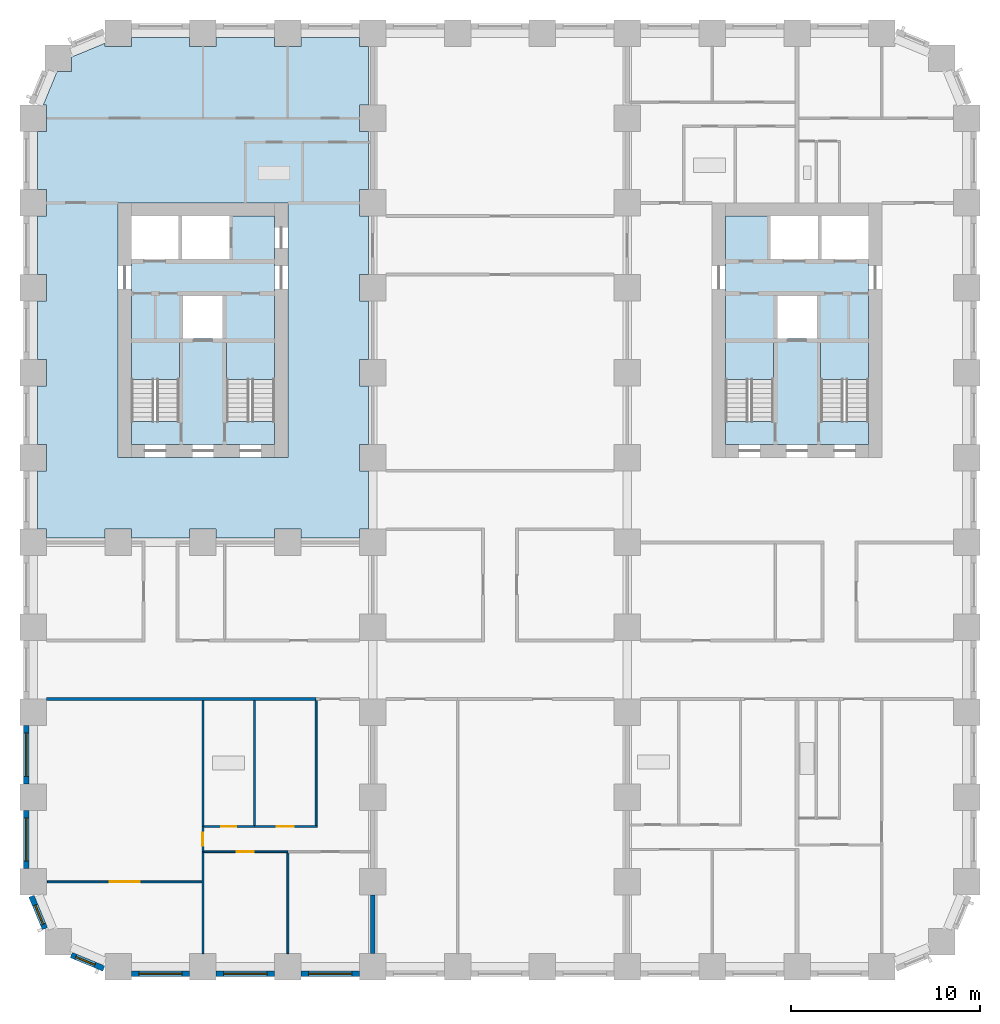
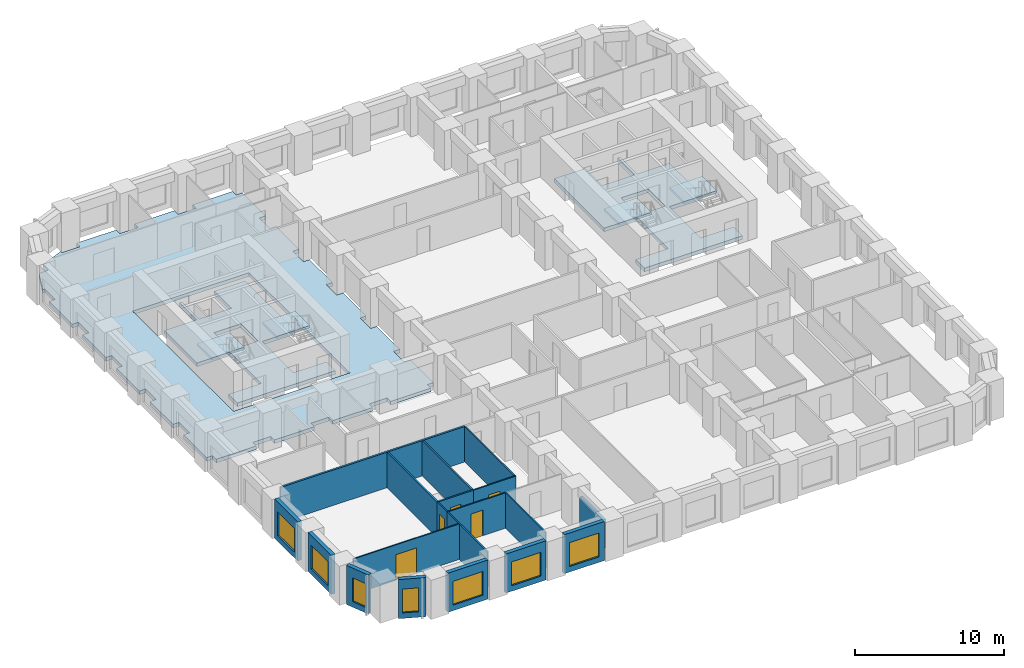
# One storey, part 2 of 12: 19 walls, 7 slabs, 7 windows, 5 doors, 12 openings, 4 elements without a shape of their own.
"""IFC4 building model written with IfcOpenShell, lengths in metres."""

from ifc_helpers import new_model, si_unit, direction, frame, frame_2d, origin, place, context, subcontext, project, spatial, polyline, rectangle, outline, extrude, material, layer, layer_set, type_object, element, fill, aggregate, save


model = new_model("IFC4")

# Units and contexts
model_context = context("Model", 3, precision=1e-05, world=origin(), true_north=direction((0.0, 1.0)))
body_context = subcontext(model_context, "Body", "Model", "MODEL_VIEW")
ifc_project = project(units=[si_unit("LENGTHUNIT", "METRE"), si_unit("AREAUNIT", "SQUARE_METRE"), si_unit("VOLUMEUNIT", "CUBIC_METRE"), si_unit("PLANEANGLEUNIT", "RADIAN"), si_unit("MASSUNIT", "GRAM", prefix="KILO")], contexts=[model_context])

# Site, building, storey
site_placement = place(None, origin())
site = spatial("IfcSite", under=ifc_project, at=site_placement, CompositionType="ELEMENT")
building_placement = place(site_placement, origin())
building = spatial("IfcBuilding", under=site, at=building_placement, Name="Girih Gate Residences", CompositionType="ELEMENT")
storey_placement = place(building_placement, frame((0.0, 0.0, 68.800048828125)))
storey = spatial("IfcBuildingStorey", under=building, at=storey_placement, Name="L18", CompositionType="ELEMENT", Elevation=68.800048828125)

# Slabs
ifc_material_1 = material(Name="Concrete C40/50", Category="concrete")
ifc_layer_1 = layer(ifc_material_1, 0.300048828125)
ifc_layer_set_1 = layer_set([ifc_layer_1], Name="Core floor slab 300")
slab_type_1 = type_object("IfcSlabType", Name="Core floor slab 300", PredefinedType="FLOOR", material=ifc_layer_set_1)
slab_1_placement = place(storey_placement, frame((0.0, 0.0, -0.300048828125)))
element("IfcSlab", 1, at=slab_1_placement, inside=storey, type_object=slab_type_1, Name="L18 W core floor", PredefinedType="FLOOR", context=body_context, shape_type="SweptSolid", body=[
    extrude(outline(polyline([(12.800048828125, 27.699951171875), (5.199951171875, 27.699951171875), (5.199951171875, 28.900634765625), (7.75, 28.900634765625), (7.75, 33.10009765625), (5.199951171875, 33.10009765625), (5.199951171875, 37.5), (7.699951171875, 37.5), (7.699951171875, 39.800048828125), (7.89990234375, 39.800048828125), (7.89990234375, 37.5), (10.39990234375, 37.5), (10.39990234375, 39.800048828125), (12.800048828125, 39.800048828125), (12.800048828125, 33.10009765625), (10.25, 33.10009765625), (10.25, 28.900634765625), (12.800048828125, 28.900634765625), (12.800048828125, 27.699951171875)]), holes=[polyline([(7.949951171875, 33.300048828125), (10.050048828125, 33.300048828125), (10.050048828125, 35.60009765625), (7.949951171875, 35.60009765625), (7.949951171875, 33.300048828125)])]), origin(), (0.0, 0.0, 1.0), 0.300048828125),
])
slab_2_placement = place(storey_placement, frame((0.0, 0.0, -0.300048828125)))
element("IfcSlab", 2, at=slab_2_placement, inside=storey, type_object=slab_type_1, Name="L18 E core floor", PredefinedType="FLOOR", context=body_context, shape_type="SweptSolid", body=[
    extrude(outline(polyline([(44.300048828125, 27.699951171875), (36.699951171875, 27.699951171875), (36.699951171875, 28.900634765625), (39.25, 28.900634765625), (39.25, 33.10009765625), (36.699951171875, 33.10009765625), (36.699951171875, 39.800048828125), (39.10009765625, 39.800048828125), (39.10009765625, 37.5), (41.60009765625, 37.5), (41.60009765625, 39.800048828125), (41.800048828125, 39.800048828125), (41.800048828125, 37.5), (44.300048828125, 37.5), (44.300048828125, 33.10009765625), (41.75, 33.10009765625), (41.75, 28.900634765625), (44.300048828125, 28.900634765625), (44.300048828125, 27.699951171875)]), holes=[polyline([(39.449951171875, 33.300048828125), (41.550048828125, 33.300048828125), (41.550048828125, 35.60009765625), (39.449951171875, 35.60009765625), (39.449951171875, 33.300048828125)])]), origin(), (0.0, 0.0, 1.0), 0.300048828125),
])
ifc_layer_2 = layer(ifc_material_1, 0.300048828125)
ifc_layer_set_2 = layer_set([ifc_layer_2], Name="Floor slab PT 300 Concrete C40/50")
slab_type_2 = type_object("IfcSlabType", Name="Floor slab PT 300 Concrete C40/50", PredefinedType="FLOOR", material=ifc_layer_set_2)
slab_3_placement = place(storey_placement, frame((0.0, 0.0, -0.300048828125)))
element("IfcSlab", 3, at=slab_3_placement, inside=storey, type_object=slab_type_2, Name="Floor slab L18 3", PredefinedType="FLOOR", context=body_context, shape_type="SweptSolid", body=[
    extrude(outline(polyline([(0.22509765625, 26.300048828125), (0.22509765625, 23.199951171875), (0.699951171875, 23.199951171875), (0.699951171875, 22.72509765625), (3.800048828125, 22.72509765625), (3.800048828125, 23.199951171875), (5.199951171875, 23.199951171875), (5.199951171875, 22.72509765625), (8.300048828125, 22.72509765625), (8.300048828125, 23.199951171875), (9.699951171875, 23.199951171875), (9.699951171875, 22.72509765625), (12.800048828125, 22.72509765625), (12.800048828125, 23.199951171875), (14.199951171875, 23.199951171875), (14.199951171875, 22.72509765625), (17.300048828125, 22.72509765625), (17.300048828125, 23.199951171875), (17.77490234375, 23.199951171875), (17.77490234375, 26.300048828125), (17.300048828125, 26.300048828125), (17.300048828125, 27.699951171875), (17.77490234375, 27.699951171875), (17.77490234375, 30.800048828125), (17.300048828125, 30.800048828125), (17.300048828125, 32.199951171875), (17.77490234375, 32.199951171875), (17.77490234375, 35.300048828125), (17.300048828125, 35.300048828125), (17.300048828125, 36.699951171875), (17.77490234375, 36.699951171875), (17.77490234375, 39.800048828125), (17.300048828125, 39.800048828125), (17.300048828125, 41.199951171875), (17.77490234375, 41.199951171875), (17.77490234375, 44.300048828125), (17.300048828125, 44.300048828125), (17.300048828125, 45.699951171875), (17.77490234375, 45.699951171875), (17.77490234375, 48.800048828125), (17.300048828125, 48.800048828125), (17.300048828125, 49.27490234375), (14.199951171875, 49.27490234375), (14.199951171875, 48.800048828125), (12.800048828125, 48.800048828125), (12.800048828125, 49.27490234375), (9.699951171875, 49.27490234375), (9.699951171875, 48.800048828125), (8.300048828125, 48.800048828125), (8.300048828125, 49.27490234375), (5.199951171875, 49.27490234375), (5.199951171875, 48.800048828125), (3.800048828125, 48.800048828125), (3.800048828125, 48.966552734375), (2.01806640625, 48.228271484375), (2.01806640625, 47.48193359375), (1.271728515625, 47.48193359375), (0.533447265625, 45.699951171875), (0.699951171875, 45.699951171875), (0.699951171875, 44.300048828125), (0.22509765625, 44.300048828125), (0.22509765625, 41.199951171875), (0.699951171875, 41.199951171875), (0.699951171875, 39.800048828125), (0.22509765625, 39.800048828125), (0.22509765625, 36.699951171875), (0.699951171875, 36.699951171875), (0.699951171875, 35.300048828125), (0.22509765625, 35.300048828125), (0.22509765625, 32.199951171875), (0.699951171875, 32.199951171875), (0.699951171875, 30.800048828125), (0.22509765625, 30.800048828125), (0.22509765625, 27.699951171875), (0.699951171875, 27.699951171875), (0.699951171875, 26.300048828125), (0.22509765625, 26.300048828125)]), holes=[polyline([(13.5, 40.5), (13.5, 27.0), (4.5, 27.0), (4.5, 40.5), (13.5, 40.5)])]), origin(), (0.0, 0.0, 1.0), 0.300048828125),
])

# Stair, slab
stair_type = type_object("IfcStairType", Name="Exit stair", PredefinedType="HALF_TURN_STAIR", material=ifc_material_1)
stair_1_placement = place(storey_placement, origin())
stair_1 = element("IfcStair", 4, at=stair_1_placement, inside=storey, type_object=stair_type, Name="L18 Exit Stair ST-W1", PredefinedType="HALF_TURN_STAIR")
ifc_layer_3 = layer(ifc_material_1, 0.199951171875)
ifc_layer_set_3 = layer_set([ifc_layer_3], Name="Stair landing 200")
slab_type_3 = type_object("IfcSlabType", Name="Stair landing 200", PredefinedType="LANDING", material=ifc_layer_set_3)
slab_4_placement = place(storey_placement, frame((0.0, 0.0, 1.39990234375)))
slab_4 = element("IfcSlab", 5, at=slab_4_placement, type_object=slab_type_3, Name="ST-W1 landing 1", PredefinedType="LANDING", context=body_context, shape_type="SweptSolid", body=[
    extrude(outline(polyline([(7.75, 31.14990234375), (7.75, 33.10009765625), (5.199951171875, 33.10009765625), (5.199951171875, 31.14990234375), (7.75, 31.14990234375)])), origin(), (0.0, 0.0, 1.0), 0.199951171875),
])
aggregate(stair_1, [slab_4])

stair_2_placement = place(storey_placement, origin())
stair_2 = element("IfcStair", 6, at=stair_2_placement, inside=storey, type_object=stair_type, Name="L18 Exit Stair ST-W2", PredefinedType="HALF_TURN_STAIR")
slab_5_placement = place(storey_placement, frame((0.0, 0.0, 1.39990234375)))
slab_5 = element("IfcSlab", 7, at=slab_5_placement, type_object=slab_type_3, Name="ST-W2 landing 1", PredefinedType="LANDING", context=body_context, shape_type="SweptSolid", body=[
    extrude(outline(polyline([(12.800048828125, 31.14990234375), (12.800048828125, 33.10009765625), (10.25, 33.10009765625), (10.25, 31.14990234375), (12.800048828125, 31.14990234375)])), origin(), (0.0, 0.0, 1.0), 0.199951171875),
])
aggregate(stair_2, [slab_5])

stair_3_placement = place(storey_placement, origin())
stair_3 = element("IfcStair", 8, at=stair_3_placement, inside=storey, type_object=stair_type, Name="L18 Exit Stair ST-E1", PredefinedType="HALF_TURN_STAIR")
slab_6_placement = place(storey_placement, frame((0.0, 0.0, 1.39990234375)))
slab_6 = element("IfcSlab", 9, at=slab_6_placement, type_object=slab_type_3, Name="ST-E1 landing 1", PredefinedType="LANDING", context=body_context, shape_type="SweptSolid", body=[
    extrude(outline(polyline([(44.300048828125, 31.14990234375), (44.300048828125, 33.10009765625), (41.75, 33.10009765625), (41.75, 31.14990234375), (44.300048828125, 31.14990234375)])), origin(), (0.0, 0.0, 1.0), 0.199951171875),
])
aggregate(stair_3, [slab_6])

stair_4_placement = place(storey_placement, origin())
stair_4 = element("IfcStair", 10, at=stair_4_placement, inside=storey, type_object=stair_type, Name="L18 Exit Stair ST-E2", PredefinedType="HALF_TURN_STAIR")
slab_7_placement = place(storey_placement, frame((0.0, 0.0, 1.39990234375)))
slab_7 = element("IfcSlab", 11, at=slab_7_placement, type_object=slab_type_3, Name="ST-E2 landing 1", PredefinedType="LANDING", context=body_context, shape_type="SweptSolid", body=[
    extrude(outline(polyline([(39.25, 31.14990234375), (39.25, 33.10009765625), (36.699951171875, 33.10009765625), (36.699951171875, 31.14990234375), (39.25, 31.14990234375)])), origin(), (0.0, 0.0, 1.0), 0.199951171875),
])
aggregate(stair_4, [slab_7])

# Walls
ifc_material_2 = material(Name="Gypsum board on steel studs", Category="steel")
ifc_layer_4 = layer(ifc_material_2, 0.25)
ifc_layer_set_4 = layer_set([ifc_layer_4], Name="Acoustic separating wall 250 mm")
wall_type_1 = type_object("IfcWallType", Name="Acoustic separating wall 250 mm", PredefinedType="PARTITIONING", material=ifc_layer_set_4)
wall_1_placement = place(storey_placement, frame((18.0, 0.699951171875, 0.0), z_axis=(0.0, 0.0, 1.0), x_axis=(0.0, 1.0, 0.0)))
element("IfcWall", 12, at=wall_1_placement, inside=storey, type_object=wall_type_1, Name="L18 partition", PredefinedType="PARTITIONING", context=body_context, shape_type="SweptSolid", body=[
    extrude(rectangle(XDim=3.10009765625, YDim=0.25, at=frame_2d((1.550048828125, 0.0))), origin(), (0.0, 0.0, 1.0), 2.3798828125),
])
ifc_layer_5 = layer(ifc_material_2, 0.14990234375)
ifc_layer_set_5 = layer_set([ifc_layer_5], Name="Compartment wall 150 mm")
wall_type_2 = type_object("IfcWallType", Name="Compartment wall 150 mm", PredefinedType="PARTITIONING", material=ifc_layer_set_5)
wall_2_placement = place(storey_placement, frame((0.699951171875, 14.199951171875, 0.0), z_axis=(0.0, 0.0, 1.0), x_axis=(1.0, 0.0, 0.0)))
element("IfcWall", 13, at=wall_2_placement, inside=storey, type_object=wall_type_2, Name="L18 partition", PredefinedType="PARTITIONING", context=body_context, shape_type="SweptSolid", body=[
    extrude(rectangle(XDim=14.300048828125, YDim=0.14990234375, at=frame_2d((7.14990234375, 0.0))), origin(), (0.0, 0.0, 1.0), 2.89990234375),
])
ifc_layer_6 = layer(ifc_material_2, 0.10009765625)
ifc_layer_set_6 = layer_set([ifc_layer_6], Name="Partition 100 mm")
wall_type_3 = type_object("IfcWallType", Name="Partition 100 mm", PredefinedType="PARTITIONING", material=ifc_layer_set_6)
wall_3_placement = place(storey_placement, frame((13.5, 0.699951171875, 0.0), z_axis=(0.0, 0.0, 1.0), x_axis=(0.0, 1.0, 0.0)))
element("IfcWall", 14, at=wall_3_placement, inside=storey, type_object=wall_type_3, Name="L18 partition", PredefinedType="PARTITIONING", context=body_context, shape_type="SweptSolid", body=[
    extrude(rectangle(XDim=5.35009765625, YDim=0.10009765625, at=frame_2d((2.675048828125, 0.0))), origin(), (0.0, 0.0, 1.0), 2.89990234375),
])

# Wall, opening, door
wall_4_placement = place(storey_placement, frame((13.5, 6.10009765625, 0.0), z_axis=(0.0, 0.0, 1.0), x_axis=(-1.0, 0.0, 0.0)))
wall_4 = element("IfcWall", 15, at=wall_4_placement, inside=storey, type_object=wall_type_3, Name="L18 partition", PredefinedType="PARTITIONING", context=body_context, shape_type="SweptSolid", body=[
    extrude(rectangle(XDim=4.449951171875, YDim=0.10009765625, at=frame_2d((2.22509765625, 0.0))), origin(), (0.0, 0.0, 1.0), 2.89990234375),
])
opening_1_placement = place(wall_4_placement, frame((1.800048828125, 0.0, 0.0)))
opening_1 = element("IfcOpeningElement", 16, at=opening_1_placement, cuts=wall_4, Name="Opening A18-002", PredefinedType="OPENING", context=body_context, shape_type="SweptSolid", body=[
    extrude(rectangle(XDim=0.89990234375, YDim=2.10009765625, at=frame_2d((0.449951171875, 1.050048828125))), frame((0.0, 0.06005859375, 0.0), z_axis=(0.0, -1.0, 0.0), x_axis=(1.0, 0.0, 0.0)), (0.0, 0.0, 1.0), 0.1201171875),
])
ifc_material_3 = material(Name="Timber", Category="wood")
door_type_1 = type_object("IfcDoorType", Name="Bedroom door 900x2100", OperationType="NOTDEFINED", PredefinedType="DOOR", material=ifc_material_3)
door_1_placement = place(opening_1_placement, origin())
door_1 = element("IfcDoor", 17, at=door_1_placement, inside=storey, type_object=door_type_1, Name="Door A18-002", OperationType="SINGLE_SWING_RIGHT", OverallHeight=2.10009765625, OverallWidth=0.89990234375, PredefinedType="DOOR", context=body_context, shape_type="SweptSolid", body=[
    extrude(rectangle(XDim=0.89990234375, YDim=2.10009765625, at=frame_2d((0.449951171875, 1.050048828125))), frame((0.0, 0.02490234375, 0.0), z_axis=(0.0, -1.0, 0.0), x_axis=(1.0, 0.0, 0.0)), (0.0, 0.0, 1.0), 0.050048828125),
])
fill(opening_1, door_1)

# Wall
wall_5_placement = place(storey_placement, frame((9.0, 0.699951171875, 0.0), z_axis=(0.0, 0.0, 1.0), x_axis=(0.0, 1.0, 0.0)))
element("IfcWall", 18, at=wall_5_placement, inside=storey, type_object=wall_type_3, Name="L18 partition", PredefinedType="PARTITIONING", context=body_context, shape_type="SweptSolid", body=[
    extrude(rectangle(XDim=5.400146484375, YDim=0.10009765625, at=frame_2d((2.7001953125, 0.0))), origin(), (0.0, 0.0, 1.0), 2.89990234375),
])

# Wall, opening, door
wall_6_placement = place(storey_placement, frame((9.0, 6.10009765625, 0.0), z_axis=(0.0, 0.0, 1.0), x_axis=(0.0, 1.0, 0.0)))
wall_6 = element("IfcWall", 19, at=wall_6_placement, inside=storey, type_object=wall_type_3, Name="L18 partition", PredefinedType="PARTITIONING", context=body_context, shape_type="SweptSolid", body=[
    extrude(rectangle(XDim=1.33984375, YDim=0.10009765625, at=frame_2d((0.669921875, 0.0))), origin(), (0.0, 0.0, 1.0), 2.89990234375),
])
opening_2_placement = place(wall_6_placement, frame((0.31005859375, 0.0, 0.0)))
opening_2 = element("IfcOpeningElement", 20, at=opening_2_placement, cuts=wall_6, Name="Opening A18-004", PredefinedType="OPENING", context=body_context, shape_type="SweptSolid", body=[
    extrude(rectangle(XDim=0.699951171875, YDim=2.10009765625, at=frame_2d((0.35009765625, 1.050048828125))), frame((0.0, 0.06005859375, 0.0), z_axis=(0.0, -1.0, 0.0), x_axis=(1.0, 0.0, 0.0)), (0.0, 0.0, 1.0), 0.1201171875),
])
door_type_2 = type_object("IfcDoorType", Name="Narrow door 700x2100", OperationType="NOTDEFINED", PredefinedType="DOOR", material=ifc_material_3)
door_2_placement = place(opening_2_placement, origin())
door_2 = element("IfcDoor", 21, at=door_2_placement, inside=storey, type_object=door_type_2, Name="Door A18-004", OperationType="SINGLE_SWING_LEFT", OverallHeight=2.10009765625, OverallWidth=0.699951171875, PredefinedType="DOOR", context=body_context, shape_type="SweptSolid", body=[
    extrude(rectangle(XDim=0.699951171875, YDim=2.10009765625, at=frame_2d((0.35009765625, 1.050048828125))), frame((0.0, 0.02490234375, 0.0), z_axis=(0.0, -1.0, 0.0), x_axis=(1.0, 0.0, 0.0)), (0.0, 0.0, 1.0), 0.050048828125),
])
fill(opening_2, door_2)

wall_7_placement = place(storey_placement, frame((0.757568359375, 4.5, 0.0), z_axis=(0.0, 0.0, 1.0), x_axis=(1.0, 0.0, 0.0)))
wall_7 = element("IfcWall", 22, at=wall_7_placement, inside=storey, type_object=wall_type_3, Name="L18 partition", PredefinedType="PARTITIONING", context=body_context, shape_type="SweptSolid", body=[
    extrude(rectangle(XDim=8.1923828125, YDim=0.10009765625, at=frame_2d((4.09619140625, 0.0))), origin(), (0.0, 0.0, 1.0), 2.89990234375),
])
opening_3_placement = place(wall_7_placement, frame((3.292236328125, 0.0, 0.0)))
opening_3 = element("IfcOpeningElement", 23, at=opening_3_placement, cuts=wall_7, Name="Opening A18-005", PredefinedType="OPENING", context=body_context, shape_type="SweptSolid", body=[
    extrude(rectangle(XDim=1.60009765625, YDim=2.10009765625, at=frame_2d((0.800048828125, 1.050048828125))), frame((0.0, 0.06005859375, 0.0), z_axis=(0.0, -1.0, 0.0), x_axis=(1.0, 0.0, 0.0)), (0.0, 0.0, 1.0), 0.1201171875),
])
door_type_3 = type_object("IfcDoorType", Name="Double leaf door 1600x2100", OperationType="NOTDEFINED", PredefinedType="DOOR", material=ifc_material_3)
door_3_placement = place(opening_3_placement, origin())
door_3 = element("IfcDoor", 24, at=door_3_placement, inside=storey, type_object=door_type_3, Name="Door A18-005", OperationType="SINGLE_SWING_LEFT", OverallHeight=2.10009765625, OverallWidth=1.60009765625, PredefinedType="DOOR", context=body_context, shape_type="SweptSolid", body=[
    extrude(rectangle(XDim=1.60009765625, YDim=2.10009765625, at=frame_2d((0.800048828125, 1.050048828125))), frame((0.0, 0.02490234375, 0.0), z_axis=(0.0, -1.0, 0.0), x_axis=(1.0, 0.0, 0.0)), (0.0, 0.0, 1.0), 0.050048828125),
])
fill(opening_3, door_3)

wall_8_placement = place(storey_placement, frame((11.7314453125, 7.43994140625, 0.0), z_axis=(0.0, 0.0, 1.0), x_axis=(1.0, 0.0, 0.0)))
wall_8 = element("IfcWall", 25, at=wall_8_placement, inside=storey, type_object=wall_type_3, Name="L18 partition", PredefinedType="PARTITIONING", context=body_context, shape_type="SweptSolid", body=[
    extrude(rectangle(XDim=3.318603515625, YDim=0.10009765625, at=frame_2d((1.6591796875, 0.0))), origin(), (0.0, 0.0, 1.0), 2.89990234375),
])
opening_4_placement = place(wall_8_placement, frame((1.184326171875, 0.0, 0.0)))
opening_4 = element("IfcOpeningElement", 26, at=opening_4_placement, cuts=wall_8, Name="Opening A18-006", PredefinedType="OPENING", context=body_context, shape_type="SweptSolid", body=[
    extrude(rectangle(XDim=0.89990234375, YDim=2.10009765625, at=frame_2d((0.449951171875, 1.050048828125))), frame((0.0, 0.06005859375, 0.0), z_axis=(0.0, -1.0, 0.0), x_axis=(1.0, 0.0, 0.0)), (0.0, 0.0, 1.0), 0.1201171875),
])
door_type_4 = type_object("IfcDoorType", Name="Kitchen door 900x2100", OperationType="NOTDEFINED", PredefinedType="DOOR", material=ifc_material_3)
door_4_placement = place(opening_4_placement, origin())
door_4 = element("IfcDoor", 27, at=door_4_placement, inside=storey, type_object=door_type_4, Name="Door A18-006", OperationType="SINGLE_SWING_LEFT", OverallHeight=2.10009765625, OverallWidth=0.89990234375, PredefinedType="DOOR", context=body_context, shape_type="SweptSolid", body=[
    extrude(rectangle(XDim=0.89990234375, YDim=2.10009765625, at=frame_2d((0.449951171875, 1.050048828125))), frame((0.0, 0.02490234375, 0.0), z_axis=(0.0, -1.0, 0.0), x_axis=(1.0, 0.0, 0.0)), (0.0, 0.0, 1.0), 0.050048828125),
])
fill(opening_4, door_4)

# Wall
wall_9_placement = place(storey_placement, frame((15.0, 7.489990234375, 0.0), z_axis=(0.0, 0.0, 1.0), x_axis=(0.0, 1.0, 0.0)))
element("IfcWall", 28, at=wall_9_placement, inside=storey, type_object=wall_type_3, Name="L18 partition", PredefinedType="PARTITIONING", context=body_context, shape_type="SweptSolid", body=[
    extrude(rectangle(XDim=6.635009765625, YDim=0.10009765625, at=frame_2d((3.3173828125, 0.0))), origin(), (0.0, 0.0, 1.0), 2.89990234375),
])

# Wall, opening, window
ifc_material_4 = material(Name="Precast concrete C50/60", Category="concrete")
ifc_layer_7 = layer(ifc_material_4, 0.080078125, Name="Outer leaf")
ifc_material_5 = material(Name="Rigid PIR insulation")
ifc_layer_8 = layer(ifc_material_5, 0.14990234375, Name="Insulation")
ifc_material_6 = material(Name="Precast concrete C40/50", Category="concrete")
ifc_layer_9 = layer(ifc_material_6, 0.070068359375, Name="Inner leaf")
ifc_layer_set_7 = layer_set([ifc_layer_7, ifc_layer_8, ifc_layer_9], Name="Precast concrete C50/60 external wall 300")
wall_type_4 = type_object("IfcWallType", Name="Precast concrete C50/60 external wall 300", PredefinedType="SOLIDWALL", material=ifc_layer_set_7)
wall_10_placement = place(storey_placement, frame((0.62158203125, 2.01953125, 0.0), z_axis=(0.0, 0.0, 1.0), x_axis=(-0.38262540684, 0.923903565336, 0.0)))
wall_10 = element("IfcWall", 29, at=wall_10_placement, inside=storey, type_object=wall_type_4, Name="External wall SW0000_0045.0", PredefinedType="SOLIDWALL", context=body_context, shape_type="SweptSolid", body=[
    extrude(rectangle(XDim=1.864990234375, YDim=0.300048828125, at=frame_2d((0.9326171875, 0.0))), origin(), (0.0, 0.0, 1.0), 3.199951171875),
])
opening_5_placement = place(wall_10_placement, frame((0.257568359375, 0.0, 0.449951171875)))
opening_5 = element("IfcOpeningElement", 30, at=opening_5_placement, cuts=wall_10, Name="Opening W-2C", PredefinedType="OPENING", context=body_context, shape_type="SweptSolid", body=[
    extrude(rectangle(XDim=1.10009765625, YDim=1.949951171875, at=frame_2d((0.550048828125, 0.97509765625))), frame((0.0, 0.159912109375, 0.0), z_axis=(0.0, -1.0, 0.0), x_axis=(1.0, 0.0, 0.0)), (0.0, 0.0, 1.0), 0.320068359375),
])
ifc_material_7 = material(Name="Double glazing in aluminium frame", Category="aluminium")
window_type_1 = type_object("IfcWindowType", Name="Window W-2C 1100x1950", PartitioningType="SINGLE_PANEL", PredefinedType="WINDOW", material=ifc_material_7)
window_1_placement = place(opening_5_placement, origin())
window_1 = element("IfcWindow", 31, at=window_1_placement, inside=storey, type_object=window_type_1, Name="Window W-2C SW0000_0045.0", OverallHeight=1.949951171875, OverallWidth=1.10009765625, PartitioningType="SINGLE_PANEL", PredefinedType="WINDOW", context=body_context, shape_type="SweptSolid", body=[
    extrude(rectangle(XDim=1.10009765625, YDim=1.949951171875, at=frame_2d((0.550048828125, 0.97509765625))), frame((0.0, 0.030029296875, 0.0), z_axis=(0.0, -1.0, 0.0), x_axis=(1.0, 0.0, 0.0)), (0.0, 0.0, 1.0), 0.06005859375),
])
fill(opening_5, window_1)

wall_11_placement = place(storey_placement, frame((3.74267578125, -0.09228515625, 0.0), z_axis=(0.0, 0.0, 1.0), x_axis=(-0.923857286003, 0.382737135771, 0.0)))
wall_11 = element("IfcWall", 32, at=wall_11_placement, inside=storey, type_object=wall_type_4, Name="External wall SW0013_0013.0", PredefinedType="SOLIDWALL", context=body_context, shape_type="SweptSolid", body=[
    extrude(rectangle(XDim=1.865234375, YDim=0.300048828125, at=frame_2d((0.9326171875, 0.0))), origin(), (0.0, 0.0, 1.0), 3.199951171875),
])
opening_6_placement = place(wall_11_placement, frame((0.507568359375, 0.0, 0.449951171875)))
opening_6 = element("IfcOpeningElement", 33, at=opening_6_placement, cuts=wall_11, Name="Opening W-2C", PredefinedType="OPENING", context=body_context, shape_type="SweptSolid", body=[
    extrude(rectangle(XDim=1.10009765625, YDim=1.949951171875, at=frame_2d((0.550048828125, 0.97509765625))), frame((0.0, 0.159912109375, 0.0), z_axis=(0.0, -1.0, 0.0), x_axis=(1.0, 0.0, 0.0)), (0.0, 0.0, 1.0), 0.320068359375),
])
window_2_placement = place(opening_6_placement, origin())
window_2 = element("IfcWindow", 34, at=window_2_placement, inside=storey, type_object=window_type_1, Name="Window W-2C SW0013_0013.0", OverallHeight=1.949951171875, OverallWidth=1.10009765625, PartitioningType="SINGLE_PANEL", PredefinedType="WINDOW", context=body_context, shape_type="SweptSolid", body=[
    extrude(rectangle(XDim=1.10009765625, YDim=1.949951171875, at=frame_2d((0.550048828125, 0.97509765625))), frame((0.0, 0.030029296875, 0.0), z_axis=(0.0, -1.0, 0.0), x_axis=(1.0, 0.0, 0.0)), (0.0, 0.0, 1.0), 0.06005859375),
])
fill(opening_6, window_2)

wall_12_placement = place(storey_placement, frame((8.300048828125, -0.375, 0.0), z_axis=(0.0, 0.0, 1.0), x_axis=(-1.0, 0.0, 0.0)))
wall_12 = element("IfcWall", 35, at=wall_12_placement, inside=storey, type_object=wall_type_4, Name="External wall S0045_0000.0", PredefinedType="SOLIDWALL", context=body_context, shape_type="SweptSolid", body=[
    extrude(rectangle(XDim=3.10009765625, YDim=0.300048828125, at=frame_2d((1.550048828125, 0.0))), origin(), (0.0, 0.0, 1.0), 3.199951171875),
])
opening_7_placement = place(wall_12_placement, frame((0.39990234375, 0.0, 0.449951171875)))
opening_7 = element("IfcOpeningElement", 36, at=opening_7_placement, cuts=wall_12, Name="Opening W-1", PredefinedType="OPENING", context=body_context, shape_type="SweptSolid", body=[
    extrude(rectangle(XDim=2.300048828125, YDim=1.949951171875, at=frame_2d((1.14990234375, 0.97509765625))), frame((0.0, 0.159912109375, 0.0), z_axis=(0.0, -1.0, 0.0), x_axis=(1.0, 0.0, 0.0)), (0.0, 0.0, 1.0), 0.320068359375),
])
window_type_2 = type_object("IfcWindowType", Name="Window W-1 2300x1950", PartitioningType="SINGLE_PANEL", PredefinedType="WINDOW", material=ifc_material_7)
window_3_placement = place(opening_7_placement, origin())
window_3 = element("IfcWindow", 37, at=window_3_placement, inside=storey, type_object=window_type_2, Name="Window W-1 S0045_0000.0", OverallHeight=1.949951171875, OverallWidth=2.300048828125, PartitioningType="SINGLE_PANEL", PredefinedType="WINDOW", context=body_context, shape_type="SweptSolid", body=[
    extrude(rectangle(XDim=2.300048828125, YDim=1.949951171875, at=frame_2d((1.14990234375, 0.97509765625))), frame((0.0, 0.030029296875, 0.0), z_axis=(0.0, -1.0, 0.0), x_axis=(1.0, 0.0, 0.0)), (0.0, 0.0, 1.0), 0.06005859375),
])
fill(opening_7, window_3)

wall_13_placement = place(storey_placement, frame((12.800048828125, -0.375, 0.0), z_axis=(0.0, 0.0, 1.0), x_axis=(-1.0, 0.0, 0.0)))
wall_13 = element("IfcWall", 38, at=wall_13_placement, inside=storey, type_object=wall_type_4, Name="External wall S0045_0000.1", PredefinedType="SOLIDWALL", context=body_context, shape_type="SweptSolid", body=[
    extrude(rectangle(XDim=3.10009765625, YDim=0.300048828125, at=frame_2d((1.550048828125, 0.0))), origin(), (0.0, 0.0, 1.0), 3.199951171875),
])
opening_8_placement = place(wall_13_placement, frame((0.39990234375, 0.0, 0.449951171875)))
opening_8 = element("IfcOpeningElement", 39, at=opening_8_placement, cuts=wall_13, Name="Opening W-1", PredefinedType="OPENING", context=body_context, shape_type="SweptSolid", body=[
    extrude(rectangle(XDim=2.300048828125, YDim=1.949951171875, at=frame_2d((1.14990234375, 0.97509765625))), frame((0.0, 0.159912109375, 0.0), z_axis=(0.0, -1.0, 0.0), x_axis=(1.0, 0.0, 0.0)), (0.0, 0.0, 1.0), 0.320068359375),
])
window_4_placement = place(opening_8_placement, origin())
window_4 = element("IfcWindow", 40, at=window_4_placement, inside=storey, type_object=window_type_2, Name="Window W-1 S0045_0000.1", OverallHeight=1.949951171875, OverallWidth=2.300048828125, PartitioningType="SINGLE_PANEL", PredefinedType="WINDOW", context=body_context, shape_type="SweptSolid", body=[
    extrude(rectangle(XDim=2.300048828125, YDim=1.949951171875, at=frame_2d((1.14990234375, 0.97509765625))), frame((0.0, 0.030029296875, 0.0), z_axis=(0.0, -1.0, 0.0), x_axis=(1.0, 0.0, 0.0)), (0.0, 0.0, 1.0), 0.06005859375),
])
fill(opening_8, window_4)

wall_14_placement = place(storey_placement, frame((17.300048828125, -0.375, 0.0), z_axis=(0.0, 0.0, 1.0), x_axis=(-1.0, 0.0, 0.0)))
wall_14 = element("IfcWall", 41, at=wall_14_placement, inside=storey, type_object=wall_type_4, Name="External wall S0045_0000.2", PredefinedType="SOLIDWALL", context=body_context, shape_type="SweptSolid", body=[
    extrude(rectangle(XDim=3.10009765625, YDim=0.300048828125, at=frame_2d((1.550048828125, 0.0))), origin(), (0.0, 0.0, 1.0), 3.199951171875),
])
opening_9_placement = place(wall_14_placement, frame((0.39990234375, 0.0, 0.449951171875)))
opening_9 = element("IfcOpeningElement", 42, at=opening_9_placement, cuts=wall_14, Name="Opening W-1", PredefinedType="OPENING", context=body_context, shape_type="SweptSolid", body=[
    extrude(rectangle(XDim=2.300048828125, YDim=1.949951171875, at=frame_2d((1.14990234375, 0.97509765625))), frame((0.0, 0.159912109375, 0.0), z_axis=(0.0, -1.0, 0.0), x_axis=(1.0, 0.0, 0.0)), (0.0, 0.0, 1.0), 0.320068359375),
])
window_5_placement = place(opening_9_placement, origin())
window_5 = element("IfcWindow", 43, at=window_5_placement, inside=storey, type_object=window_type_2, Name="Window W-1 S0045_0000.2", OverallHeight=1.949951171875, OverallWidth=2.300048828125, PartitioningType="SINGLE_PANEL", PredefinedType="WINDOW", context=body_context, shape_type="SweptSolid", body=[
    extrude(rectangle(XDim=2.300048828125, YDim=1.949951171875, at=frame_2d((1.14990234375, 0.97509765625))), frame((0.0, 0.030029296875, 0.0), z_axis=(0.0, -1.0, 0.0), x_axis=(1.0, 0.0, 0.0)), (0.0, 0.0, 1.0), 0.06005859375),
])
fill(opening_9, window_5)

wall_15_placement = place(storey_placement, frame((-0.375, 9.699951171875, 0.0), z_axis=(0.0, 0.0, 1.0), x_axis=(0.0, 1.0, 0.0)))
wall_15 = element("IfcWall", 44, at=wall_15_placement, inside=storey, type_object=wall_type_4, Name="External wall W0000_0450.7", PredefinedType="SOLIDWALL", context=body_context, shape_type="SweptSolid", body=[
    extrude(rectangle(XDim=3.10009765625, YDim=0.300048828125, at=frame_2d((1.550048828125, 0.0))), origin(), (0.0, 0.0, 1.0), 3.199951171875),
])
opening_10_placement = place(wall_15_placement, frame((0.39990234375, 0.0, 0.449951171875)))
opening_10 = element("IfcOpeningElement", 45, at=opening_10_placement, cuts=wall_15, Name="Opening W-1", PredefinedType="OPENING", context=body_context, shape_type="SweptSolid", body=[
    extrude(rectangle(XDim=2.300048828125, YDim=1.949951171875, at=frame_2d((1.14990234375, 0.97509765625))), frame((0.0, 0.159912109375, 0.0), z_axis=(0.0, -1.0, 0.0), x_axis=(1.0, 0.0, 0.0)), (0.0, 0.0, 1.0), 0.320068359375),
])
window_6_placement = place(opening_10_placement, origin())
window_6 = element("IfcWindow", 46, at=window_6_placement, inside=storey, type_object=window_type_2, Name="Window W-1 W0000_0450.7", OverallHeight=1.949951171875, OverallWidth=2.300048828125, PartitioningType="SINGLE_PANEL", PredefinedType="WINDOW", context=body_context, shape_type="SweptSolid", body=[
    extrude(rectangle(XDim=2.300048828125, YDim=1.949951171875, at=frame_2d((1.14990234375, 0.97509765625))), frame((0.0, 0.030029296875, 0.0), z_axis=(0.0, -1.0, 0.0), x_axis=(1.0, 0.0, 0.0)), (0.0, 0.0, 1.0), 0.06005859375),
])
fill(opening_10, window_6)

wall_16_placement = place(storey_placement, frame((-0.375, 5.199951171875, 0.0), z_axis=(0.0, 0.0, 1.0), x_axis=(0.0, 1.0, 0.0)))
wall_16 = element("IfcWall", 47, at=wall_16_placement, inside=storey, type_object=wall_type_4, Name="External wall W0000_0450.8", PredefinedType="SOLIDWALL", context=body_context, shape_type="SweptSolid", body=[
    extrude(rectangle(XDim=3.10009765625, YDim=0.300048828125, at=frame_2d((1.550048828125, 0.0))), origin(), (0.0, 0.0, 1.0), 3.199951171875),
])
opening_11_placement = place(wall_16_placement, frame((0.39990234375, 0.0, 0.449951171875)))
opening_11 = element("IfcOpeningElement", 48, at=opening_11_placement, cuts=wall_16, Name="Opening W-1", PredefinedType="OPENING", context=body_context, shape_type="SweptSolid", body=[
    extrude(rectangle(XDim=2.300048828125, YDim=1.949951171875, at=frame_2d((1.14990234375, 0.97509765625))), frame((0.0, 0.159912109375, 0.0), z_axis=(0.0, -1.0, 0.0), x_axis=(1.0, 0.0, 0.0)), (0.0, 0.0, 1.0), 0.320068359375),
])
window_7_placement = place(opening_11_placement, origin())
window_7 = element("IfcWindow", 49, at=window_7_placement, inside=storey, type_object=window_type_2, Name="Window W-1 W0000_0450.8", OverallHeight=1.949951171875, OverallWidth=2.300048828125, PartitioningType="SINGLE_PANEL", PredefinedType="WINDOW", context=body_context, shape_type="SweptSolid", body=[
    extrude(rectangle(XDim=2.300048828125, YDim=1.949951171875, at=frame_2d((1.14990234375, 0.97509765625))), frame((0.0, 0.030029296875, 0.0), z_axis=(0.0, -1.0, 0.0), x_axis=(1.0, 0.0, 0.0)), (0.0, 0.0, 1.0), 0.06005859375),
])
fill(opening_11, window_7)

# Wall
ifc_layer_10 = layer(ifc_material_2, 0.125)
ifc_layer_set_8 = layer_set([ifc_layer_10], Name="Wet room wall 125 mm")
wall_type_5 = type_object("IfcWallType", Name="Wet room wall 125 mm", PredefinedType="PARTITIONING", material=ifc_layer_set_8)
wall_17_placement = place(storey_placement, frame((9.0, 7.43994140625, 0.0), z_axis=(0.0, 0.0, 1.0), x_axis=(0.0, 1.0, 0.0)))
element("IfcWall", 50, at=wall_17_placement, inside=storey, type_object=wall_type_5, Name="L18 partition", PredefinedType="PARTITIONING", context=body_context, shape_type="SweptSolid", body=[
    extrude(rectangle(XDim=6.68505859375, YDim=0.125, at=frame_2d((3.342529296875, 0.0))), origin(), (0.0, 0.0, 1.0), 2.89990234375),
])

# Wall, opening, door
wall_18_placement = place(storey_placement, frame((9.0625, 7.43994140625, 0.0), z_axis=(0.0, 0.0, 1.0), x_axis=(1.0, 0.0, 0.0)))
wall_18 = element("IfcWall", 51, at=wall_18_placement, inside=storey, type_object=wall_type_5, Name="L18 partition", PredefinedType="PARTITIONING", context=body_context, shape_type="SweptSolid", body=[
    extrude(rectangle(XDim=2.6689453125, YDim=0.125, at=frame_2d((1.33447265625, 0.0))), origin(), (0.0, 0.0, 1.0), 2.89990234375),
])
opening_12_placement = place(wall_18_placement, frame((0.9033203125, 0.0, 0.0)))
opening_12 = element("IfcOpeningElement", 52, at=opening_12_placement, cuts=wall_18, Name="Opening A18-001", PredefinedType="OPENING", context=body_context, shape_type="SweptSolid", body=[
    extrude(rectangle(XDim=0.800048828125, YDim=2.10009765625, at=frame_2d((0.39990234375, 1.050048828125))), frame((0.0, 0.072509765625, 0.0), z_axis=(0.0, -1.0, 0.0), x_axis=(1.0, 0.0, 0.0)), (0.0, 0.0, 1.0), 0.14501953125),
])
door_type_5 = type_object("IfcDoorType", Name="Bathroom door 800x2100", OperationType="NOTDEFINED", PredefinedType="DOOR", material=ifc_material_3)
door_5_placement = place(opening_12_placement, origin())
door_5 = element("IfcDoor", 53, at=door_5_placement, inside=storey, type_object=door_type_5, Name="Door A18-001", OperationType="SINGLE_SWING_LEFT", OverallHeight=2.10009765625, OverallWidth=0.800048828125, PredefinedType="DOOR", context=body_context, shape_type="SweptSolid", body=[
    extrude(rectangle(XDim=0.800048828125, YDim=2.10009765625, at=frame_2d((0.39990234375, 1.050048828125))), frame((0.0, 0.02490234375, 0.0), z_axis=(0.0, -1.0, 0.0), x_axis=(1.0, 0.0, 0.0)), (0.0, 0.0, 1.0), 0.050048828125),
])
fill(opening_12, door_5)

# Wall
wall_19_placement = place(storey_placement, frame((11.73095703125, 7.50244140625, 0.0), z_axis=(0.0, 0.0, 1.0), x_axis=(0.0, 1.0, 0.0)))
element("IfcWall", 54, at=wall_19_placement, inside=storey, type_object=wall_type_5, Name="L18 partition", PredefinedType="PARTITIONING", context=body_context, shape_type="SweptSolid", body=[
    extrude(rectangle(XDim=6.62255859375, YDim=0.125, at=frame_2d((3.311279296875, 0.0))), origin(), (0.0, 0.0, 1.0), 2.89990234375),
])

save(model, "model.ifc")
